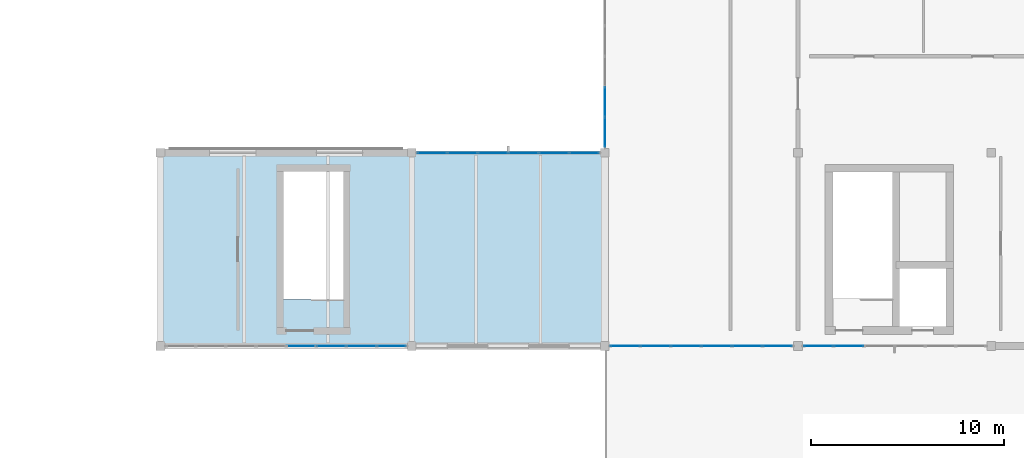
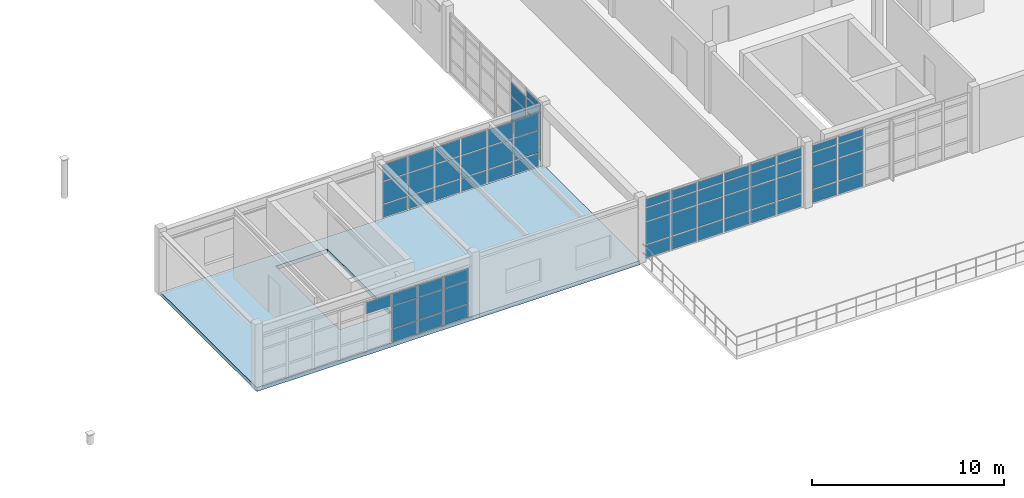
# One storey, part 89 of 122: 67 plates, 1 slab, 5 elements without a shape of their own.
"""IFC4 building model written with IfcOpenShell, lengths in metres."""

from ifc_helpers import new_model, si_unit, direction, frame, origin, origin_2d, place, context, subcontext, project, spatial, polyline, rectangle, outline, extrude, material, layer, layer_set, type_object, element, aggregate, save


model = new_model("IFC4")

# Units and contexts
model_context = context("Model", 3, precision=1e-05, world=origin(), true_north=direction((0.0, 1.0)))
body_context = subcontext(model_context, "Body", "Model", "MODEL_VIEW")
ifc_project = project(units=[si_unit("LENGTHUNIT", "METRE"), si_unit("AREAUNIT", "SQUARE_METRE"), si_unit("VOLUMEUNIT", "CUBIC_METRE"), si_unit("PLANEANGLEUNIT", "RADIAN"), si_unit("MASSUNIT", "GRAM", prefix="KILO"), si_unit("THERMODYNAMICTEMPERATUREUNIT", "KELVIN"), si_unit("POWERUNIT", "WATT")], contexts=[model_context])

# Site, building, storey
site_placement = place(None, origin())
site = spatial("IfcSite", under=ifc_project, at=site_placement, CompositionType="ELEMENT")
building_placement = place(site_placement, origin())
building = spatial("IfcBuilding", under=site, at=building_placement, Name="Korenveer Ferry Terminal", CompositionType="ELEMENT")
storey_placement = place(building_placement, frame((0.0, 0.0, 10.199951171875)))
storey = spatial("IfcBuildingStorey", under=building, at=storey_placement, Name="L02", CompositionType="ELEMENT", Elevation=10.199951171875)

# Curtain wall, plates
ifc_material_1 = material(Name="Unitised bronze-and-glass curtain wall", Category="glass")
ifc_layer_1 = layer(ifc_material_1, 0.159912109375)
ifc_layer_set_1 = layer_set([ifc_layer_1], Name="Unitised bronze-and-glass curtain wall")
curtain_wall_type_1 = type_object("IfcCurtainWallType", Name="ENV-CW-85", PredefinedType="USERDEFINED", material=ifc_layer_set_1)
curtain_wall_1_placement = place(storey_placement, frame((123.2548828125, 20.0, 0.0)))
curtain_wall_1 = element("IfcCurtainWall", 1, at=curtain_wall_1_placement, inside=storey, type_object=curtain_wall_type_1, Name="Lancet curtain wall CWX-L02-X123-136-Y20-20", ObjectType="UNITISED CURTAIN WALL", PredefinedType="USERDEFINED")
ifc_material_2 = material(Name="Low-iron solar-control double glazing", Category="glass")
ifc_layer_2 = layer(ifc_material_2, 0.028076171875)
ifc_layer_set_2 = layer_set([ifc_layer_2], Name="Low-iron solar-control double glazing")
plate_type = type_object("IfcPlateType", Name="ENV-CWP-GLZ28", PredefinedType="CURTAIN_PANEL", material=ifc_layer_set_2)
plate_1_placement = place(storey_placement, frame((130.280517578125, 20.0, 2.3798828125), z_axis=(0.0, 0.0, 1.0), x_axis=(1.0, 0.0, 0.0)))
plate_1 = element("IfcPlate", 2, at=plate_1_placement, type_object=plate_type, Name="CW-85 panel 5.3", PredefinedType="CURTAIN_PANEL", context=body_context, shape_type="SweptSolid", body=[
    extrude(rectangle(XDim=1.501220703125, YDim=0.028076171875, at=origin_2d()), origin(), (0.0, 0.0, 1.0), 0.739990234375),
])
plate_2_placement = place(storey_placement, frame((131.841796875, 20.0, 0.06005859375), z_axis=(0.0, 0.0, 1.0), x_axis=(1.0, 0.0, 0.0)))
plate_2 = element("IfcPlate", 3, at=plate_2_placement, type_object=plate_type, Name="CW-85 panel 6.1", PredefinedType="CURTAIN_PANEL", context=body_context, shape_type="SweptSolid", body=[
    extrude(rectangle(XDim=1.501220703125, YDim=0.028076171875, at=origin_2d()), origin(), (0.0, 0.0, 1.0), 0.81005859375),
])
plate_3_placement = place(storey_placement, frame((131.841796875, 20.0, 0.93017578125), z_axis=(0.0, 0.0, 1.0), x_axis=(1.0, 0.0, 0.0)))
plate_3 = element("IfcPlate", 4, at=plate_3_placement, type_object=plate_type, Name="CW-85 panel 6.2", PredefinedType="CURTAIN_PANEL", context=body_context, shape_type="SweptSolid", body=[
    extrude(rectangle(XDim=1.501220703125, YDim=0.028076171875, at=origin_2d()), origin(), (0.0, 0.0, 1.0), 1.389892578125),
])
plate_4_placement = place(storey_placement, frame((131.841796875, 20.0, 2.3798828125), z_axis=(0.0, 0.0, 1.0), x_axis=(1.0, 0.0, 0.0)))
plate_4 = element("IfcPlate", 5, at=plate_4_placement, type_object=plate_type, Name="CW-85 panel 6.3", PredefinedType="CURTAIN_PANEL", context=body_context, shape_type="SweptSolid", body=[
    extrude(rectangle(XDim=1.501220703125, YDim=0.028076171875, at=origin_2d()), origin(), (0.0, 0.0, 1.0), 0.739990234375),
])
plate_5_placement = place(storey_placement, frame((133.403076171875, 20.0, 0.06005859375), z_axis=(0.0, 0.0, 1.0), x_axis=(1.0, 0.0, 0.0)))
plate_5 = element("IfcPlate", 6, at=plate_5_placement, type_object=plate_type, Name="CW-85 panel 7.1", PredefinedType="CURTAIN_PANEL", context=body_context, shape_type="SweptSolid", body=[
    extrude(rectangle(XDim=1.501220703125, YDim=0.028076171875, at=origin_2d()), origin(), (0.0, 0.0, 1.0), 0.81005859375),
])
plate_6_placement = place(storey_placement, frame((133.403076171875, 20.0, 0.93017578125), z_axis=(0.0, 0.0, 1.0), x_axis=(1.0, 0.0, 0.0)))
plate_6 = element("IfcPlate", 7, at=plate_6_placement, type_object=plate_type, Name="CW-85 panel 7.2", PredefinedType="CURTAIN_PANEL", context=body_context, shape_type="SweptSolid", body=[
    extrude(rectangle(XDim=1.501220703125, YDim=0.028076171875, at=origin_2d()), origin(), (0.0, 0.0, 1.0), 1.389892578125),
])
plate_7_placement = place(storey_placement, frame((133.403076171875, 20.0, 2.3798828125), z_axis=(0.0, 0.0, 1.0), x_axis=(1.0, 0.0, 0.0)))
plate_7 = element("IfcPlate", 8, at=plate_7_placement, type_object=plate_type, Name="CW-85 panel 7.3", PredefinedType="CURTAIN_PANEL", context=body_context, shape_type="SweptSolid", body=[
    extrude(rectangle(XDim=1.501220703125, YDim=0.028076171875, at=origin_2d()), origin(), (0.0, 0.0, 1.0), 0.739990234375),
])
plate_8_placement = place(storey_placement, frame((134.949462890625, 20.0, 0.06005859375), z_axis=(0.0, 0.0, 1.0), x_axis=(1.0, 0.0, 0.0)))
plate_8 = element("IfcPlate", 9, at=plate_8_placement, type_object=plate_type, Name="CW-85 panel 8.1", PredefinedType="CURTAIN_PANEL", context=body_context, shape_type="SweptSolid", body=[
    extrude(rectangle(XDim=1.47119140625, YDim=0.028076171875, at=origin_2d()), origin(), (0.0, 0.0, 1.0), 0.81005859375),
])
plate_9_placement = place(storey_placement, frame((134.949462890625, 20.0, 0.93017578125), z_axis=(0.0, 0.0, 1.0), x_axis=(1.0, 0.0, 0.0)))
plate_9 = element("IfcPlate", 10, at=plate_9_placement, type_object=plate_type, Name="CW-85 panel 8.2", PredefinedType="CURTAIN_PANEL", context=body_context, shape_type="SweptSolid", body=[
    extrude(rectangle(XDim=1.47119140625, YDim=0.028076171875, at=origin_2d()), origin(), (0.0, 0.0, 1.0), 1.389892578125),
])
plate_10_placement = place(storey_placement, frame((134.949462890625, 20.0, 2.3798828125), z_axis=(0.0, 0.0, 1.0), x_axis=(1.0, 0.0, 0.0)))
plate_10 = element("IfcPlate", 11, at=plate_10_placement, type_object=plate_type, Name="CW-85 panel 8.3", PredefinedType="CURTAIN_PANEL", context=body_context, shape_type="SweptSolid", body=[
    extrude(rectangle(XDim=1.47119140625, YDim=0.028076171875, at=origin_2d()), origin(), (0.0, 0.0, 1.0), 0.739990234375),
])
aggregate(curtain_wall_1, [plate_1, plate_2, plate_3, plate_4, plate_5, plate_6, plate_7, plate_8, plate_9, plate_10])

ifc_layer_3 = layer(ifc_material_1, 0.159912109375)
ifc_layer_set_3 = layer_set([ifc_layer_3], Name="Unitised bronze-and-glass curtain wall")
curtain_wall_type_2 = type_object("IfcCurtainWallType", Name="ENV-CW-86", PredefinedType="USERDEFINED", material=ifc_layer_set_3)
curtain_wall_2_placement = place(storey_placement, frame((146.2548828125, 20.0, 0.0)))
curtain_wall_2 = element("IfcCurtainWall", 12, at=curtain_wall_2_placement, inside=storey, type_object=curtain_wall_type_2, Name="Lancet curtain wall CWX-L02-X146-156-Y20-20", ObjectType="UNITISED CURTAIN WALL", PredefinedType="USERDEFINED")
plate_11_placement = place(storey_placement, frame((147.060791015625, 20.0, 0.06005859375), z_axis=(0.0, 0.0, 1.0), x_axis=(1.0, 0.0, 0.0)))
plate_11 = element("IfcPlate", 13, at=plate_11_placement, type_object=plate_type, Name="CW-86 panel 1.1", PredefinedType="CURTAIN_PANEL", context=body_context, shape_type="SweptSolid", body=[
    extrude(rectangle(XDim=1.49169921875, YDim=0.028076171875, at=origin_2d()), origin(), (0.0, 0.0, 1.0), 0.81005859375),
])
plate_12_placement = place(storey_placement, frame((147.060791015625, 20.0, 0.93017578125), z_axis=(0.0, 0.0, 1.0), x_axis=(1.0, 0.0, 0.0)))
plate_12 = element("IfcPlate", 14, at=plate_12_placement, type_object=plate_type, Name="CW-86 panel 1.2", PredefinedType="CURTAIN_PANEL", context=body_context, shape_type="SweptSolid", body=[
    extrude(rectangle(XDim=1.49169921875, YDim=0.028076171875, at=origin_2d()), origin(), (0.0, 0.0, 1.0), 1.389892578125),
])
plate_13_placement = place(storey_placement, frame((147.060791015625, 20.0, 2.3798828125), z_axis=(0.0, 0.0, 1.0), x_axis=(1.0, 0.0, 0.0)))
plate_13 = element("IfcPlate", 15, at=plate_13_placement, type_object=plate_type, Name="CW-86 panel 1.3", PredefinedType="CURTAIN_PANEL", context=body_context, shape_type="SweptSolid", body=[
    extrude(rectangle(XDim=1.49169921875, YDim=0.028076171875, at=origin_2d()), origin(), (0.0, 0.0, 1.0), 0.840087890625),
])
plate_14_placement = place(storey_placement, frame((147.060791015625, 20.0, 3.280029296875), z_axis=(0.0, 0.0, 1.0), x_axis=(1.0, 0.0, 0.0)))
plate_14 = element("IfcPlate", 16, at=plate_14_placement, type_object=plate_type, Name="CW-86 panel 1.4", PredefinedType="CURTAIN_PANEL", context=body_context, shape_type="SweptSolid", body=[
    extrude(rectangle(XDim=1.49169921875, YDim=0.028076171875, at=origin_2d()), origin(), (0.0, 0.0, 1.0), 0.52001953125),
])
plate_15_placement = place(storey_placement, frame((148.62744140625, 20.0, 0.06005859375), z_axis=(0.0, 0.0, 1.0), x_axis=(1.0, 0.0, 0.0)))
plate_15 = element("IfcPlate", 17, at=plate_15_placement, type_object=plate_type, Name="CW-86 panel 2.1", PredefinedType="CURTAIN_PANEL", context=body_context, shape_type="SweptSolid", body=[
    extrude(rectangle(XDim=1.521728515625, YDim=0.028076171875, at=origin_2d()), origin(), (0.0, 0.0, 1.0), 0.81005859375),
])
plate_16_placement = place(storey_placement, frame((148.62744140625, 20.0, 0.93017578125), z_axis=(0.0, 0.0, 1.0), x_axis=(1.0, 0.0, 0.0)))
plate_16 = element("IfcPlate", 18, at=plate_16_placement, type_object=plate_type, Name="CW-86 panel 2.2", PredefinedType="CURTAIN_PANEL", context=body_context, shape_type="SweptSolid", body=[
    extrude(rectangle(XDim=1.521728515625, YDim=0.028076171875, at=origin_2d()), origin(), (0.0, 0.0, 1.0), 1.389892578125),
])
plate_17_placement = place(storey_placement, frame((148.62744140625, 20.0, 2.3798828125), z_axis=(0.0, 0.0, 1.0), x_axis=(1.0, 0.0, 0.0)))
plate_17 = element("IfcPlate", 19, at=plate_17_placement, type_object=plate_type, Name="CW-86 panel 2.3", PredefinedType="CURTAIN_PANEL", context=body_context, shape_type="SweptSolid", body=[
    extrude(rectangle(XDim=1.521728515625, YDim=0.028076171875, at=origin_2d()), origin(), (0.0, 0.0, 1.0), 0.840087890625),
])
plate_18_placement = place(storey_placement, frame((148.62744140625, 20.0, 3.280029296875), z_axis=(0.0, 0.0, 1.0), x_axis=(1.0, 0.0, 0.0)))
plate_18 = element("IfcPlate", 20, at=plate_18_placement, type_object=plate_type, Name="CW-86 panel 2.4", PredefinedType="CURTAIN_PANEL", context=body_context, shape_type="SweptSolid", body=[
    extrude(rectangle(XDim=1.521728515625, YDim=0.028076171875, at=origin_2d()), origin(), (0.0, 0.0, 1.0), 0.52001953125),
])
plate_19_placement = place(storey_placement, frame((150.209228515625, 20.0, 0.06005859375), z_axis=(0.0, 0.0, 1.0), x_axis=(1.0, 0.0, 0.0)))
plate_19 = element("IfcPlate", 21, at=plate_19_placement, type_object=plate_type, Name="CW-86 panel 3.1", PredefinedType="CURTAIN_PANEL", context=body_context, shape_type="SweptSolid", body=[
    extrude(rectangle(XDim=1.521728515625, YDim=0.028076171875, at=origin_2d()), origin(), (0.0, 0.0, 1.0), 0.81005859375),
])
plate_20_placement = place(storey_placement, frame((150.209228515625, 20.0, 0.93017578125), z_axis=(0.0, 0.0, 1.0), x_axis=(1.0, 0.0, 0.0)))
plate_20 = element("IfcPlate", 22, at=plate_20_placement, type_object=plate_type, Name="CW-86 panel 3.2", PredefinedType="CURTAIN_PANEL", context=body_context, shape_type="SweptSolid", body=[
    extrude(rectangle(XDim=1.521728515625, YDim=0.028076171875, at=origin_2d()), origin(), (0.0, 0.0, 1.0), 1.389892578125),
])
plate_21_placement = place(storey_placement, frame((150.209228515625, 20.0, 2.3798828125), z_axis=(0.0, 0.0, 1.0), x_axis=(1.0, 0.0, 0.0)))
plate_21 = element("IfcPlate", 23, at=plate_21_placement, type_object=plate_type, Name="CW-86 panel 3.3", PredefinedType="CURTAIN_PANEL", context=body_context, shape_type="SweptSolid", body=[
    extrude(rectangle(XDim=1.521728515625, YDim=0.028076171875, at=origin_2d()), origin(), (0.0, 0.0, 1.0), 0.840087890625),
])
plate_22_placement = place(storey_placement, frame((150.209228515625, 20.0, 3.280029296875), z_axis=(0.0, 0.0, 1.0), x_axis=(1.0, 0.0, 0.0)))
plate_22 = element("IfcPlate", 24, at=plate_22_placement, type_object=plate_type, Name="CW-86 panel 3.4", PredefinedType="CURTAIN_PANEL", context=body_context, shape_type="SweptSolid", body=[
    extrude(rectangle(XDim=1.521728515625, YDim=0.028076171875, at=origin_2d()), origin(), (0.0, 0.0, 1.0), 0.52001953125),
])
plate_23_placement = place(storey_placement, frame((151.790771484375, 20.0, 0.06005859375), z_axis=(0.0, 0.0, 1.0), x_axis=(1.0, 0.0, 0.0)))
plate_23 = element("IfcPlate", 25, at=plate_23_placement, type_object=plate_type, Name="CW-86 panel 4.1", PredefinedType="CURTAIN_PANEL", context=body_context, shape_type="SweptSolid", body=[
    extrude(rectangle(XDim=1.521728515625, YDim=0.028076171875, at=origin_2d()), origin(), (0.0, 0.0, 1.0), 0.81005859375),
])
plate_24_placement = place(storey_placement, frame((151.790771484375, 20.0, 0.93017578125), z_axis=(0.0, 0.0, 1.0), x_axis=(1.0, 0.0, 0.0)))
plate_24 = element("IfcPlate", 26, at=plate_24_placement, type_object=plate_type, Name="CW-86 panel 4.2", PredefinedType="CURTAIN_PANEL", context=body_context, shape_type="SweptSolid", body=[
    extrude(rectangle(XDim=1.521728515625, YDim=0.028076171875, at=origin_2d()), origin(), (0.0, 0.0, 1.0), 1.389892578125),
])
plate_25_placement = place(storey_placement, frame((151.790771484375, 20.0, 2.3798828125), z_axis=(0.0, 0.0, 1.0), x_axis=(1.0, 0.0, 0.0)))
plate_25 = element("IfcPlate", 27, at=plate_25_placement, type_object=plate_type, Name="CW-86 panel 4.3", PredefinedType="CURTAIN_PANEL", context=body_context, shape_type="SweptSolid", body=[
    extrude(rectangle(XDim=1.521728515625, YDim=0.028076171875, at=origin_2d()), origin(), (0.0, 0.0, 1.0), 0.840087890625),
])
plate_26_placement = place(storey_placement, frame((151.790771484375, 20.0, 3.280029296875), z_axis=(0.0, 0.0, 1.0), x_axis=(1.0, 0.0, 0.0)))
plate_26 = element("IfcPlate", 28, at=plate_26_placement, type_object=plate_type, Name="CW-86 panel 4.4", PredefinedType="CURTAIN_PANEL", context=body_context, shape_type="SweptSolid", body=[
    extrude(rectangle(XDim=1.521728515625, YDim=0.028076171875, at=origin_2d()), origin(), (0.0, 0.0, 1.0), 0.52001953125),
])
plate_27_placement = place(storey_placement, frame((153.37255859375, 20.0, 0.06005859375), z_axis=(0.0, 0.0, 1.0), x_axis=(1.0, 0.0, 0.0)))
plate_27 = element("IfcPlate", 29, at=plate_27_placement, type_object=plate_type, Name="CW-86 panel 5.1", PredefinedType="CURTAIN_PANEL", context=body_context, shape_type="SweptSolid", body=[
    extrude(rectangle(XDim=1.521728515625, YDim=0.028076171875, at=origin_2d()), origin(), (0.0, 0.0, 1.0), 0.81005859375),
])
plate_28_placement = place(storey_placement, frame((153.37255859375, 20.0, 0.93017578125), z_axis=(0.0, 0.0, 1.0), x_axis=(1.0, 0.0, 0.0)))
plate_28 = element("IfcPlate", 30, at=plate_28_placement, type_object=plate_type, Name="CW-86 panel 5.2", PredefinedType="CURTAIN_PANEL", context=body_context, shape_type="SweptSolid", body=[
    extrude(rectangle(XDim=1.521728515625, YDim=0.028076171875, at=origin_2d()), origin(), (0.0, 0.0, 1.0), 1.389892578125),
])
plate_29_placement = place(storey_placement, frame((153.37255859375, 20.0, 2.3798828125), z_axis=(0.0, 0.0, 1.0), x_axis=(1.0, 0.0, 0.0)))
plate_29 = element("IfcPlate", 31, at=plate_29_placement, type_object=plate_type, Name="CW-86 panel 5.3", PredefinedType="CURTAIN_PANEL", context=body_context, shape_type="SweptSolid", body=[
    extrude(rectangle(XDim=1.521728515625, YDim=0.028076171875, at=origin_2d()), origin(), (0.0, 0.0, 1.0), 0.840087890625),
])
plate_30_placement = place(storey_placement, frame((153.37255859375, 20.0, 3.280029296875), z_axis=(0.0, 0.0, 1.0), x_axis=(1.0, 0.0, 0.0)))
plate_30 = element("IfcPlate", 32, at=plate_30_placement, type_object=plate_type, Name="CW-86 panel 5.4", PredefinedType="CURTAIN_PANEL", context=body_context, shape_type="SweptSolid", body=[
    extrude(rectangle(XDim=1.521728515625, YDim=0.028076171875, at=origin_2d()), origin(), (0.0, 0.0, 1.0), 0.52001953125),
])
plate_31_placement = place(storey_placement, frame((154.939208984375, 20.0, 0.06005859375), z_axis=(0.0, 0.0, 1.0), x_axis=(1.0, 0.0, 0.0)))
plate_31 = element("IfcPlate", 33, at=plate_31_placement, type_object=plate_type, Name="CW-86 panel 6.1", PredefinedType="CURTAIN_PANEL", context=body_context, shape_type="SweptSolid", body=[
    extrude(rectangle(XDim=1.49169921875, YDim=0.028076171875, at=origin_2d()), origin(), (0.0, 0.0, 1.0), 0.81005859375),
])
plate_32_placement = place(storey_placement, frame((154.939208984375, 20.0, 0.93017578125), z_axis=(0.0, 0.0, 1.0), x_axis=(1.0, 0.0, 0.0)))
plate_32 = element("IfcPlate", 34, at=plate_32_placement, type_object=plate_type, Name="CW-86 panel 6.2", PredefinedType="CURTAIN_PANEL", context=body_context, shape_type="SweptSolid", body=[
    extrude(rectangle(XDim=1.49169921875, YDim=0.028076171875, at=origin_2d()), origin(), (0.0, 0.0, 1.0), 1.389892578125),
])
plate_33_placement = place(storey_placement, frame((154.939208984375, 20.0, 2.3798828125), z_axis=(0.0, 0.0, 1.0), x_axis=(1.0, 0.0, 0.0)))
plate_33 = element("IfcPlate", 35, at=plate_33_placement, type_object=plate_type, Name="CW-86 panel 6.3", PredefinedType="CURTAIN_PANEL", context=body_context, shape_type="SweptSolid", body=[
    extrude(rectangle(XDim=1.49169921875, YDim=0.028076171875, at=origin_2d()), origin(), (0.0, 0.0, 1.0), 0.840087890625),
])
plate_34_placement = place(storey_placement, frame((154.939208984375, 20.0, 3.280029296875), z_axis=(0.0, 0.0, 1.0), x_axis=(1.0, 0.0, 0.0)))
plate_34 = element("IfcPlate", 36, at=plate_34_placement, type_object=plate_type, Name="CW-86 panel 6.4", PredefinedType="CURTAIN_PANEL", context=body_context, shape_type="SweptSolid", body=[
    extrude(rectangle(XDim=1.49169921875, YDim=0.028076171875, at=origin_2d()), origin(), (0.0, 0.0, 1.0), 0.52001953125),
])
aggregate(curtain_wall_2, [plate_11, plate_12, plate_13, plate_14, plate_15, plate_16, plate_17, plate_18, plate_19, plate_20, plate_21, plate_22, plate_23, plate_24, plate_25, plate_26, plate_27, plate_28, plate_29, plate_30, plate_31, plate_32, plate_33, plate_34])

ifc_layer_4 = layer(ifc_material_1, 0.159912109375)
ifc_layer_set_4 = layer_set([ifc_layer_4], Name="Unitised bronze-and-glass curtain wall")
curtain_wall_type_3 = type_object("IfcCurtainWallType", Name="ENV-CW-87", PredefinedType="USERDEFINED", material=ifc_layer_set_4)
curtain_wall_3_placement = place(storey_placement, frame((156.2548828125, 20.0, 0.0)))
curtain_wall_3 = element("IfcCurtainWall", 37, at=curtain_wall_3_placement, inside=storey, type_object=curtain_wall_type_3, Name="Lancet curtain wall CWX-L02-X156-166-Y20-20", ObjectType="UNITISED CURTAIN WALL", PredefinedType="USERDEFINED")
plate_35_placement = place(storey_placement, frame((157.060791015625, 20.0, 0.06005859375), z_axis=(0.0, 0.0, 1.0), x_axis=(1.0, 0.0, 0.0)))
plate_35 = element("IfcPlate", 38, at=plate_35_placement, type_object=plate_type, Name="CW-87 panel 1.1", PredefinedType="CURTAIN_PANEL", context=body_context, shape_type="SweptSolid", body=[
    extrude(rectangle(XDim=1.49169921875, YDim=0.028076171875, at=origin_2d()), origin(), (0.0, 0.0, 1.0), 0.81005859375),
])
plate_36_placement = place(storey_placement, frame((157.060791015625, 20.0, 0.93017578125), z_axis=(0.0, 0.0, 1.0), x_axis=(1.0, 0.0, 0.0)))
plate_36 = element("IfcPlate", 39, at=plate_36_placement, type_object=plate_type, Name="CW-87 panel 1.2", PredefinedType="CURTAIN_PANEL", context=body_context, shape_type="SweptSolid", body=[
    extrude(rectangle(XDim=1.49169921875, YDim=0.028076171875, at=origin_2d()), origin(), (0.0, 0.0, 1.0), 1.389892578125),
])
plate_37_placement = place(storey_placement, frame((157.060791015625, 20.0, 2.3798828125), z_axis=(0.0, 0.0, 1.0), x_axis=(1.0, 0.0, 0.0)))
plate_37 = element("IfcPlate", 40, at=plate_37_placement, type_object=plate_type, Name="CW-87 panel 1.3", PredefinedType="CURTAIN_PANEL", context=body_context, shape_type="SweptSolid", body=[
    extrude(rectangle(XDim=1.49169921875, YDim=0.028076171875, at=origin_2d()), origin(), (0.0, 0.0, 1.0), 0.840087890625),
])
plate_38_placement = place(storey_placement, frame((157.060791015625, 20.0, 3.280029296875), z_axis=(0.0, 0.0, 1.0), x_axis=(1.0, 0.0, 0.0)))
plate_38 = element("IfcPlate", 41, at=plate_38_placement, type_object=plate_type, Name="CW-87 panel 1.4", PredefinedType="CURTAIN_PANEL", context=body_context, shape_type="SweptSolid", body=[
    extrude(rectangle(XDim=1.49169921875, YDim=0.028076171875, at=origin_2d()), origin(), (0.0, 0.0, 1.0), 0.419921875),
])
plate_39_placement = place(storey_placement, frame((158.62744140625, 20.0, 0.06005859375), z_axis=(0.0, 0.0, 1.0), x_axis=(1.0, 0.0, 0.0)))
plate_39 = element("IfcPlate", 42, at=plate_39_placement, type_object=plate_type, Name="CW-87 panel 2.1", PredefinedType="CURTAIN_PANEL", context=body_context, shape_type="SweptSolid", body=[
    extrude(rectangle(XDim=1.521728515625, YDim=0.028076171875, at=origin_2d()), origin(), (0.0, 0.0, 1.0), 0.81005859375),
])
plate_40_placement = place(storey_placement, frame((158.62744140625, 20.0, 0.93017578125), z_axis=(0.0, 0.0, 1.0), x_axis=(1.0, 0.0, 0.0)))
plate_40 = element("IfcPlate", 43, at=plate_40_placement, type_object=plate_type, Name="CW-87 panel 2.2", PredefinedType="CURTAIN_PANEL", context=body_context, shape_type="SweptSolid", body=[
    extrude(rectangle(XDim=1.521728515625, YDim=0.028076171875, at=origin_2d()), origin(), (0.0, 0.0, 1.0), 1.389892578125),
])
plate_41_placement = place(storey_placement, frame((158.62744140625, 20.0, 2.3798828125), z_axis=(0.0, 0.0, 1.0), x_axis=(1.0, 0.0, 0.0)))
plate_41 = element("IfcPlate", 44, at=plate_41_placement, type_object=plate_type, Name="CW-87 panel 2.3", PredefinedType="CURTAIN_PANEL", context=body_context, shape_type="SweptSolid", body=[
    extrude(rectangle(XDim=1.521728515625, YDim=0.028076171875, at=origin_2d()), origin(), (0.0, 0.0, 1.0), 0.840087890625),
])
plate_42_placement = place(storey_placement, frame((158.62744140625, 20.0, 3.280029296875), z_axis=(0.0, 0.0, 1.0), x_axis=(1.0, 0.0, 0.0)))
plate_42 = element("IfcPlate", 45, at=plate_42_placement, type_object=plate_type, Name="CW-87 panel 2.4", PredefinedType="CURTAIN_PANEL", context=body_context, shape_type="SweptSolid", body=[
    extrude(rectangle(XDim=1.521728515625, YDim=0.028076171875, at=origin_2d()), origin(), (0.0, 0.0, 1.0), 0.419921875),
])
aggregate(curtain_wall_3, [plate_35, plate_36, plate_37, plate_38, plate_39, plate_40, plate_41, plate_42])

ifc_layer_5 = layer(ifc_material_1, 0.159912109375)
ifc_layer_set_5 = layer_set([ifc_layer_5], Name="Unitised bronze-and-glass curtain wall")
curtain_wall_type_4 = type_object("IfcCurtainWallType", Name="ENV-CW-89", PredefinedType="USERDEFINED", material=ifc_layer_set_5)
curtain_wall_4_placement = place(storey_placement, frame((136.2548828125, 30.0, 0.0)))
curtain_wall_4 = element("IfcCurtainWall", 46, at=curtain_wall_4_placement, inside=storey, type_object=curtain_wall_type_4, Name="Lancet curtain wall CWX-L02-X136-146-Y30-30", ObjectType="UNITISED CURTAIN WALL", PredefinedType="USERDEFINED")
plate_43_placement = place(storey_placement, frame((137.060791015625, 30.0, 0.06005859375), z_axis=(0.0, 0.0, 1.0), x_axis=(1.0, 0.0, 0.0)))
plate_43 = element("IfcPlate", 47, at=plate_43_placement, type_object=plate_type, Name="CW-89 panel 1.1", PredefinedType="CURTAIN_PANEL", context=body_context, shape_type="SweptSolid", body=[
    extrude(rectangle(XDim=1.49169921875, YDim=0.028076171875, at=origin_2d()), origin(), (0.0, 0.0, 1.0), 0.81005859375),
])
plate_44_placement = place(storey_placement, frame((137.060791015625, 30.0, 0.93017578125), z_axis=(0.0, 0.0, 1.0), x_axis=(1.0, 0.0, 0.0)))
plate_44 = element("IfcPlate", 48, at=plate_44_placement, type_object=plate_type, Name="CW-89 panel 1.2", PredefinedType="CURTAIN_PANEL", context=body_context, shape_type="SweptSolid", body=[
    extrude(rectangle(XDim=1.49169921875, YDim=0.028076171875, at=origin_2d()), origin(), (0.0, 0.0, 1.0), 1.389892578125),
])
plate_45_placement = place(storey_placement, frame((137.060791015625, 30.0, 2.380126953125), z_axis=(0.0, 0.0, 1.0), x_axis=(1.0, 0.0, 0.0)))
plate_45 = element("IfcPlate", 49, at=plate_45_placement, type_object=plate_type, Name="CW-89 panel 1.3", PredefinedType="CURTAIN_PANEL", context=body_context, shape_type="SweptSolid", body=[
    extrude(rectangle(XDim=1.49169921875, YDim=0.028076171875, at=origin_2d()), origin(), (0.0, 0.0, 1.0), 1.0400390625),
])
plate_46_placement = place(storey_placement, frame((138.62744140625, 30.0, 0.06005859375), z_axis=(0.0, 0.0, 1.0), x_axis=(1.0, 0.0, 0.0)))
plate_46 = element("IfcPlate", 50, at=plate_46_placement, type_object=plate_type, Name="CW-89 panel 2.1", PredefinedType="CURTAIN_PANEL", context=body_context, shape_type="SweptSolid", body=[
    extrude(rectangle(XDim=1.521728515625, YDim=0.028076171875, at=origin_2d()), origin(), (0.0, 0.0, 1.0), 0.81005859375),
])
plate_47_placement = place(storey_placement, frame((138.62744140625, 30.0, 0.93017578125), z_axis=(0.0, 0.0, 1.0), x_axis=(1.0, 0.0, 0.0)))
plate_47 = element("IfcPlate", 51, at=plate_47_placement, type_object=plate_type, Name="CW-89 panel 2.2", PredefinedType="CURTAIN_PANEL", context=body_context, shape_type="SweptSolid", body=[
    extrude(rectangle(XDim=1.521728515625, YDim=0.028076171875, at=origin_2d()), origin(), (0.0, 0.0, 1.0), 1.389892578125),
])
plate_48_placement = place(storey_placement, frame((138.62744140625, 30.0, 2.380126953125), z_axis=(0.0, 0.0, 1.0), x_axis=(1.0, 0.0, 0.0)))
plate_48 = element("IfcPlate", 52, at=plate_48_placement, type_object=plate_type, Name="CW-89 panel 2.3", PredefinedType="CURTAIN_PANEL", context=body_context, shape_type="SweptSolid", body=[
    extrude(rectangle(XDim=1.521728515625, YDim=0.028076171875, at=origin_2d()), origin(), (0.0, 0.0, 1.0), 1.0400390625),
])
plate_49_placement = place(storey_placement, frame((140.209228515625, 30.0, 0.06005859375), z_axis=(0.0, 0.0, 1.0), x_axis=(1.0, 0.0, 0.0)))
plate_49 = element("IfcPlate", 53, at=plate_49_placement, type_object=plate_type, Name="CW-89 panel 3.1", PredefinedType="CURTAIN_PANEL", context=body_context, shape_type="SweptSolid", body=[
    extrude(rectangle(XDim=1.521728515625, YDim=0.028076171875, at=origin_2d()), origin(), (0.0, 0.0, 1.0), 0.81005859375),
])
plate_50_placement = place(storey_placement, frame((140.209228515625, 30.0, 0.93017578125), z_axis=(0.0, 0.0, 1.0), x_axis=(1.0, 0.0, 0.0)))
plate_50 = element("IfcPlate", 54, at=plate_50_placement, type_object=plate_type, Name="CW-89 panel 3.2", PredefinedType="CURTAIN_PANEL", context=body_context, shape_type="SweptSolid", body=[
    extrude(rectangle(XDim=1.521728515625, YDim=0.028076171875, at=origin_2d()), origin(), (0.0, 0.0, 1.0), 1.389892578125),
])
plate_51_placement = place(storey_placement, frame((140.209228515625, 30.0, 2.380126953125), z_axis=(0.0, 0.0, 1.0), x_axis=(1.0, 0.0, 0.0)))
plate_51 = element("IfcPlate", 55, at=plate_51_placement, type_object=plate_type, Name="CW-89 panel 3.3", PredefinedType="CURTAIN_PANEL", context=body_context, shape_type="SweptSolid", body=[
    extrude(rectangle(XDim=1.521728515625, YDim=0.028076171875, at=origin_2d()), origin(), (0.0, 0.0, 1.0), 1.0400390625),
])
plate_52_placement = place(storey_placement, frame((141.790771484375, 30.0, 0.06005859375), z_axis=(0.0, 0.0, 1.0), x_axis=(1.0, 0.0, 0.0)))
plate_52 = element("IfcPlate", 56, at=plate_52_placement, type_object=plate_type, Name="CW-89 panel 4.1", PredefinedType="CURTAIN_PANEL", context=body_context, shape_type="SweptSolid", body=[
    extrude(rectangle(XDim=1.521728515625, YDim=0.028076171875, at=origin_2d()), origin(), (0.0, 0.0, 1.0), 0.81005859375),
])
plate_53_placement = place(storey_placement, frame((141.790771484375, 30.0, 0.93017578125), z_axis=(0.0, 0.0, 1.0), x_axis=(1.0, 0.0, 0.0)))
plate_53 = element("IfcPlate", 57, at=plate_53_placement, type_object=plate_type, Name="CW-89 panel 4.2", PredefinedType="CURTAIN_PANEL", context=body_context, shape_type="SweptSolid", body=[
    extrude(rectangle(XDim=1.521728515625, YDim=0.028076171875, at=origin_2d()), origin(), (0.0, 0.0, 1.0), 1.389892578125),
])
plate_54_placement = place(storey_placement, frame((141.790771484375, 30.0, 2.380126953125), z_axis=(0.0, 0.0, 1.0), x_axis=(1.0, 0.0, 0.0)))
plate_54 = element("IfcPlate", 58, at=plate_54_placement, type_object=plate_type, Name="CW-89 panel 4.3", PredefinedType="CURTAIN_PANEL", context=body_context, shape_type="SweptSolid", body=[
    extrude(rectangle(XDim=1.521728515625, YDim=0.028076171875, at=origin_2d()), origin(), (0.0, 0.0, 1.0), 1.0400390625),
])
plate_55_placement = place(storey_placement, frame((143.37255859375, 30.0, 0.06005859375), z_axis=(0.0, 0.0, 1.0), x_axis=(1.0, 0.0, 0.0)))
plate_55 = element("IfcPlate", 59, at=plate_55_placement, type_object=plate_type, Name="CW-89 panel 5.1", PredefinedType="CURTAIN_PANEL", context=body_context, shape_type="SweptSolid", body=[
    extrude(rectangle(XDim=1.521728515625, YDim=0.028076171875, at=origin_2d()), origin(), (0.0, 0.0, 1.0), 0.81005859375),
])
plate_56_placement = place(storey_placement, frame((143.37255859375, 30.0, 0.93017578125), z_axis=(0.0, 0.0, 1.0), x_axis=(1.0, 0.0, 0.0)))
plate_56 = element("IfcPlate", 60, at=plate_56_placement, type_object=plate_type, Name="CW-89 panel 5.2", PredefinedType="CURTAIN_PANEL", context=body_context, shape_type="SweptSolid", body=[
    extrude(rectangle(XDim=1.521728515625, YDim=0.028076171875, at=origin_2d()), origin(), (0.0, 0.0, 1.0), 1.389892578125),
])
plate_57_placement = place(storey_placement, frame((143.37255859375, 30.0, 2.380126953125), z_axis=(0.0, 0.0, 1.0), x_axis=(1.0, 0.0, 0.0)))
plate_57 = element("IfcPlate", 61, at=plate_57_placement, type_object=plate_type, Name="CW-89 panel 5.3", PredefinedType="CURTAIN_PANEL", context=body_context, shape_type="SweptSolid", body=[
    extrude(rectangle(XDim=1.521728515625, YDim=0.028076171875, at=origin_2d()), origin(), (0.0, 0.0, 1.0), 1.0400390625),
])
plate_58_placement = place(storey_placement, frame((144.939208984375, 30.0, 0.06005859375), z_axis=(0.0, 0.0, 1.0), x_axis=(1.0, 0.0, 0.0)))
plate_58 = element("IfcPlate", 62, at=plate_58_placement, type_object=plate_type, Name="CW-89 panel 6.1", PredefinedType="CURTAIN_PANEL", context=body_context, shape_type="SweptSolid", body=[
    extrude(rectangle(XDim=1.49169921875, YDim=0.028076171875, at=origin_2d()), origin(), (0.0, 0.0, 1.0), 0.81005859375),
])
plate_59_placement = place(storey_placement, frame((144.939208984375, 30.0, 0.93017578125), z_axis=(0.0, 0.0, 1.0), x_axis=(1.0, 0.0, 0.0)))
plate_59 = element("IfcPlate", 63, at=plate_59_placement, type_object=plate_type, Name="CW-89 panel 6.2", PredefinedType="CURTAIN_PANEL", context=body_context, shape_type="SweptSolid", body=[
    extrude(rectangle(XDim=1.49169921875, YDim=0.028076171875, at=origin_2d()), origin(), (0.0, 0.0, 1.0), 1.389892578125),
])
plate_60_placement = place(storey_placement, frame((144.939208984375, 30.0, 2.380126953125), z_axis=(0.0, 0.0, 1.0), x_axis=(1.0, 0.0, 0.0)))
plate_60 = element("IfcPlate", 64, at=plate_60_placement, type_object=plate_type, Name="CW-89 panel 6.3", PredefinedType="CURTAIN_PANEL", context=body_context, shape_type="SweptSolid", body=[
    extrude(rectangle(XDim=1.49169921875, YDim=0.028076171875, at=origin_2d()), origin(), (0.0, 0.0, 1.0), 1.0400390625),
])
aggregate(curtain_wall_4, [plate_43, plate_44, plate_45, plate_46, plate_47, plate_48, plate_49, plate_50, plate_51, plate_52, plate_53, plate_54, plate_55, plate_56, plate_57, plate_58, plate_59, plate_60])

curtain_wall_5_placement = place(storey_placement, frame((146.0, 30.2548828125, 0.0)))
curtain_wall_5 = element("IfcCurtainWall", 65, at=curtain_wall_5_placement, inside=storey, type_object=curtain_wall_type_3, Name="Lancet curtain wall CWX-L02-X146-146-Y30-40", ObjectType="UNITISED CURTAIN WALL", PredefinedType="USERDEFINED")
plate_61_placement = place(storey_placement, frame((146.0, 31.060791015625, 0.06005859375), z_axis=(0.0, 0.0, 1.0), x_axis=(0.0, 1.0, 0.0)))
plate_61 = element("IfcPlate", 66, at=plate_61_placement, type_object=plate_type, Name="CW-87 panel 1.1", PredefinedType="CURTAIN_PANEL", context=body_context, shape_type="SweptSolid", body=[
    extrude(rectangle(XDim=1.49169921875, YDim=0.028076171875, at=origin_2d()), origin(), (0.0, 0.0, 1.0), 0.81005859375),
])
plate_62_placement = place(storey_placement, frame((146.0, 31.060791015625, 0.93017578125), z_axis=(0.0, 0.0, 1.0), x_axis=(0.0, 1.0, 0.0)))
plate_62 = element("IfcPlate", 67, at=plate_62_placement, type_object=plate_type, Name="CW-87 panel 1.2", PredefinedType="CURTAIN_PANEL", context=body_context, shape_type="SweptSolid", body=[
    extrude(rectangle(XDim=1.49169921875, YDim=0.028076171875, at=origin_2d()), origin(), (0.0, 0.0, 1.0), 1.389892578125),
])
plate_63_placement = place(storey_placement, frame((146.0, 31.060791015625, 2.3798828125), z_axis=(0.0, 0.0, 1.0), x_axis=(0.0, 1.0, 0.0)))
plate_63 = element("IfcPlate", 68, at=plate_63_placement, type_object=plate_type, Name="CW-87 panel 1.3", PredefinedType="CURTAIN_PANEL", context=body_context, shape_type="SweptSolid", body=[
    extrude(rectangle(XDim=1.49169921875, YDim=0.028076171875, at=origin_2d()), origin(), (0.0, 0.0, 1.0), 0.840087890625),
])
plate_64_placement = place(storey_placement, frame((146.0, 31.060791015625, 3.280029296875), z_axis=(0.0, 0.0, 1.0), x_axis=(0.0, 1.0, 0.0)))
plate_64 = element("IfcPlate", 69, at=plate_64_placement, type_object=plate_type, Name="CW-87 panel 1.4", PredefinedType="CURTAIN_PANEL", context=body_context, shape_type="SweptSolid", body=[
    extrude(rectangle(XDim=1.49169921875, YDim=0.028076171875, at=origin_2d()), origin(), (0.0, 0.0, 1.0), 0.419921875),
])
plate_65_placement = place(storey_placement, frame((146.0, 32.62744140625, 0.06005859375), z_axis=(0.0, 0.0, 1.0), x_axis=(0.0, 1.0, 0.0)))
plate_65 = element("IfcPlate", 70, at=plate_65_placement, type_object=plate_type, Name="CW-87 panel 2.1", PredefinedType="CURTAIN_PANEL", context=body_context, shape_type="SweptSolid", body=[
    extrude(rectangle(XDim=1.521728515625, YDim=0.028076171875, at=origin_2d()), origin(), (0.0, 0.0, 1.0), 0.81005859375),
])
plate_66_placement = place(storey_placement, frame((146.0, 32.62744140625, 0.93017578125), z_axis=(0.0, 0.0, 1.0), x_axis=(0.0, 1.0, 0.0)))
plate_66 = element("IfcPlate", 71, at=plate_66_placement, type_object=plate_type, Name="CW-87 panel 2.2", PredefinedType="CURTAIN_PANEL", context=body_context, shape_type="SweptSolid", body=[
    extrude(rectangle(XDim=1.521728515625, YDim=0.028076171875, at=origin_2d()), origin(), (0.0, 0.0, 1.0), 1.389892578125),
])
plate_67_placement = place(storey_placement, frame((146.0, 32.62744140625, 2.3798828125), z_axis=(0.0, 0.0, 1.0), x_axis=(0.0, 1.0, 0.0)))
plate_67 = element("IfcPlate", 72, at=plate_67_placement, type_object=plate_type, Name="CW-87 panel 2.3", PredefinedType="CURTAIN_PANEL", context=body_context, shape_type="SweptSolid", body=[
    extrude(rectangle(XDim=1.521728515625, YDim=0.028076171875, at=origin_2d()), origin(), (0.0, 0.0, 1.0), 0.840087890625),
])
aggregate(curtain_wall_5, [plate_61, plate_62, plate_63, plate_64, plate_65, plate_66, plate_67])

# Slab
ifc_material_3 = material(Name="Concrete C35/45", Category="concrete")
ifc_layer_6 = layer(ifc_material_3, 0.25)
ifc_layer_set_6 = layer_set([ifc_layer_6], Name="Concrete C35/45")
slab_type = type_object("IfcSlabType", Name="STR-SL-FLR250", PredefinedType="FLOOR", material=ifc_layer_set_6)
slab_placement = place(storey_placement, frame((0.0, 0.0, -0.25)))
element("IfcSlab", 73, at=slab_placement, inside=storey, type_object=slab_type, Name="Floor slab SL-L02-ARE", PredefinedType="FLOOR", context=body_context, shape_type="SweptSolid", body=[
    extrude(outline(polyline([(123.0, 20.0), (146.0, 20.0), (146.0, 30.0), (123.0, 30.0), (123.0, 20.0)]), holes=[polyline([(132.4599609375, 22.409912109375), (132.4599609375, 29.0400390625), (129.360107421875, 29.0400390625), (129.360107421875, 22.409912109375), (132.4599609375, 22.409912109375)])]), origin(), (0.0, 0.0, 1.0), 0.25),
])

save(model, "model.ifc")
